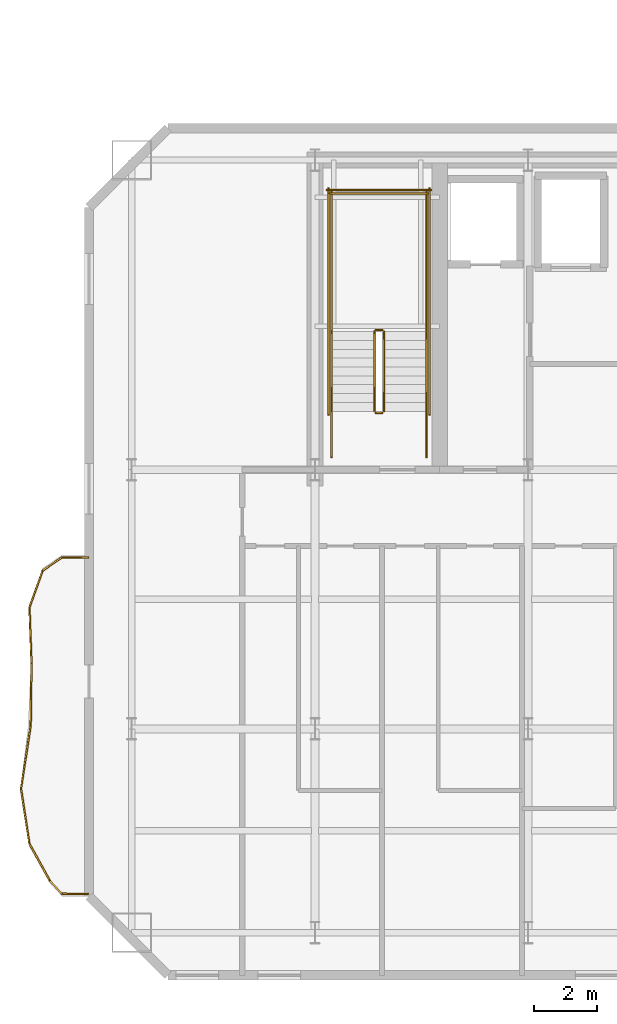
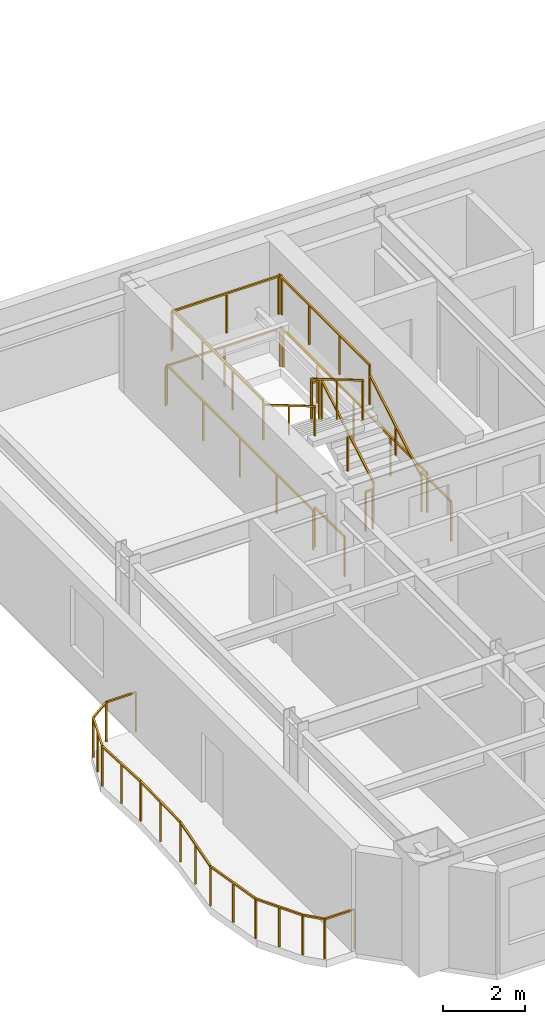
# One storey, part 11 of 14: 24 railings.
"""IFC4 building model written with IfcOpenShell, lengths in metres."""

from ifc_helpers import new_model, si_unit, direction, frame, origin, origin_2d, place, context, subcontext, project, spatial, rectangle, extrude, material, type_object, element, save


model = new_model("IFC4")

# Units and contexts
model_context = context("Model", 3, precision=1e-05, world=origin(), true_north=direction((0.0, 1.0)))
body_context = subcontext(model_context, "Body", "Model", "MODEL_VIEW")
ifc_project = project(units=[si_unit("LENGTHUNIT", "METRE"), si_unit("AREAUNIT", "SQUARE_METRE"), si_unit("VOLUMEUNIT", "CUBIC_METRE"), si_unit("PLANEANGLEUNIT", "RADIAN"), si_unit("MASSUNIT", "GRAM", prefix="KILO")], contexts=[model_context])

# Site, building, storey
site_placement = place(None, origin())
site = spatial("IfcSite", under=ifc_project, at=site_placement, CompositionType="ELEMENT")
building_placement = place(site_placement, origin())
building = spatial("IfcBuilding", under=site, at=building_placement, Name="Haevon Station Towers", CompositionType="ELEMENT")
storey_placement = place(building_placement, frame((0.0, 0.0, 179.10009765625)))
storey = spatial("IfcBuildingStorey", under=building, at=storey_placement, Name="L49", CompositionType="ELEMENT", Elevation=179.10009765625)

# Railings
ifc_material = material(Name="Steel S355", Category="steel")
railing_type_1 = type_object("IfcRailingType", Name="GRD-EXT1200", PredefinedType="GUARDRAIL", material=ifc_material)
railing_1_placement = place(storey_placement, frame((16.826416015625, 35.422119140625, 0.0)))
element("IfcRailing", 1, at=railing_1_placement, inside=storey, type_object=railing_type_1, Name="L49 Perimeter Guardrail 1", PredefinedType="GUARDRAIL", context=body_context, shape_type="SweptSolid", body=[
    extrude(rectangle(XDim=0.048095703125, YDim=0.048095703125, at=origin_2d()), frame((0.0, 0.0, 1.17578125), z_axis=(-0.999997283225, -0.002330995998, 0.0), x_axis=(0.002330995998, -0.999997283225, 0.0)), (0.0, 0.0, 1.0), 0.837890625),
    extrude(rectangle(XDim=0.0419921875, YDim=0.0419921875, at=origin_2d()), origin(), (0.0, 0.0, 1.0), 1.15185546875),
    extrude(rectangle(XDim=0.0419921875, YDim=0.0419921875, at=origin_2d()), frame((-0.837890625, -0.001953125, 0.0)), (0.0, 0.0, 1.0), 1.15185546875),
])
railing_2_placement = place(storey_placement, frame((15.988525390625, 35.420166015625, 0.0)))
element("IfcRailing", 2, at=railing_2_placement, inside=storey, type_object=railing_type_1, Name="L49 Perimeter Guardrail 2", PredefinedType="GUARDRAIL", context=body_context, shape_type="SweptSolid", body=[
    extrude(rectangle(XDim=0.048095703125, YDim=0.048095703125, at=origin_2d()), frame((0.0, 0.0, 1.17578125), z_axis=(-0.826665387993, -0.562693821091, 0.0), x_axis=(0.562693821091, -0.826665387993, 0.0)), (0.0, 0.0, 1.0), 0.730712890625),
    extrude(rectangle(XDim=0.0419921875, YDim=0.0419921875, at=origin_2d()), origin(), (0.0, 0.0, 1.0), 1.15185546875),
    extrude(rectangle(XDim=0.0419921875, YDim=0.0419921875, at=origin_2d()), frame((-0.60400390625, -0.4111328125, 0.0)), (0.0, 0.0, 1.0), 1.15185546875),
])
railing_3_placement = place(storey_placement, frame((15.384521484375, 35.009033203125, 0.0)))
element("IfcRailing", 3, at=railing_3_placement, inside=storey, type_object=railing_type_1, Name="L49 Perimeter Guardrail 3", PredefinedType="GUARDRAIL", context=body_context, shape_type="SweptSolid", body=[
    extrude(rectangle(XDim=0.048095703125, YDim=0.048095703125, at=origin_2d()), frame((0.0, 0.0, 1.17578125), z_axis=(-0.337369310721, -0.941372374878, 0.0), x_axis=(0.941372374878, -0.337369310721, 0.0)), (0.0, 0.0, 1.0), 1.242431640625),
    extrude(rectangle(XDim=0.0419921875, YDim=0.0419921875, at=origin_2d()), origin(), (0.0, 0.0, 1.0), 1.15185546875),
    extrude(rectangle(XDim=0.0419921875, YDim=0.0419921875, at=origin_2d()), frame((-0.20947265625, -0.5849609375, 0.0)), (0.0, 0.0, 1.0), 1.15185546875),
    extrude(rectangle(XDim=0.0419921875, YDim=0.0419921875, at=origin_2d()), frame((-0.419189453125, -1.169677734375, 0.0)), (0.0, 0.0, 1.0), 1.15185546875),
])
railing_4_placement = place(storey_placement, frame((14.96533203125, 33.83935546875, 0.0)))
element("IfcRailing", 4, at=railing_4_placement, inside=storey, type_object=railing_type_1, Name="L49 Perimeter Guardrail 4", PredefinedType="GUARDRAIL", context=body_context, shape_type="SweptSolid", body=[
    extrude(rectangle(XDim=0.048095703125, YDim=0.048095703125, at=origin_2d()), frame((0.0, 0.0, 1.17578125), z_axis=(0.036800275781, -0.999322640443, 0.0), x_axis=(0.999322640443, 0.036800275781, 0.0)), (0.0, 0.0, 1.0), 1.75146484375),
    extrude(rectangle(XDim=0.0419921875, YDim=0.0419921875, at=origin_2d()), origin(), (0.0, 0.0, 1.0), 1.15185546875),
    extrude(rectangle(XDim=0.0419921875, YDim=0.0419921875, at=origin_2d()), frame((0.0322265625, -0.875, 0.0)), (0.0, 0.0, 1.0), 1.15185546875),
    extrude(rectangle(XDim=0.0419921875, YDim=0.0419921875, at=origin_2d()), frame((0.064453125, -1.750244140625, 0.0)), (0.0, 0.0, 1.0), 1.15185546875),
])
railing_5_placement = place(storey_placement, frame((15.02978515625, 32.089111328125, 0.0)))
element("IfcRailing", 5, at=railing_5_placement, inside=storey, type_object=railing_type_1, Name="L49 Perimeter Guardrail 5", PredefinedType="GUARDRAIL", context=body_context, shape_type="SweptSolid", body=[
    extrude(rectangle(XDim=0.048095703125, YDim=0.048095703125, at=origin_2d()), frame((0.0, 0.0, 1.17578125), z_axis=(-0.012764395152, -0.99991853179, 0.0), x_axis=(0.99991853179, -0.012764395152, 0.0)), (0.0, 0.0, 1.0), 1.9892578125),
    extrude(rectangle(XDim=0.0419921875, YDim=0.0419921875, at=origin_2d()), origin(), (0.0, 0.0, 1.0), 1.15185546875),
    extrude(rectangle(XDim=0.0419921875, YDim=0.0419921875, at=origin_2d()), frame((-0.0126953125, -0.99462890625, 0.0)), (0.0, 0.0, 1.0), 1.15185546875),
    extrude(rectangle(XDim=0.0419921875, YDim=0.0419921875, at=origin_2d()), frame((-0.025390625, -1.989013671875, 0.0)), (0.0, 0.0, 1.0), 1.15185546875),
])
railing_6_placement = place(storey_placement, frame((15.00439453125, 30.10009765625, 0.0)))
element("IfcRailing", 6, at=railing_6_placement, inside=storey, type_object=railing_type_1, Name="L49 Perimeter Guardrail 6", PredefinedType="GUARDRAIL", context=body_context, shape_type="SweptSolid", body=[
    extrude(rectangle(XDim=0.048095703125, YDim=0.048095703125, at=origin_2d()), frame((0.0, 0.0, 1.17578125), z_axis=(-0.151938915534, -0.988389885595, 0.0), x_axis=(0.988389885595, -0.151938915534, 0.0)), (0.0, 0.0, 1.0), 2.0166015625),
    extrude(rectangle(XDim=0.0419921875, YDim=0.0419921875, at=origin_2d()), origin(), (0.0, 0.0, 1.0), 1.15185546875),
    extrude(rectangle(XDim=0.0419921875, YDim=0.0419921875, at=origin_2d()), frame((-0.1533203125, -0.99658203125, 0.0)), (0.0, 0.0, 1.0), 1.15185546875),
    extrude(rectangle(XDim=0.0419921875, YDim=0.0419921875, at=origin_2d()), frame((-0.306396484375, -1.9931640625, 0.0)), (0.0, 0.0, 1.0), 1.15185546875),
])
railing_7_placement = place(storey_placement, frame((14.697998046875, 28.10693359375, 0.0)))
element("IfcRailing", 7, at=railing_7_placement, inside=storey, type_object=railing_type_1, Name="L49 Perimeter Guardrail 7", PredefinedType="GUARDRAIL", context=body_context, shape_type="SweptSolid", body=[
    extrude(rectangle(XDim=0.048095703125, YDim=0.048095703125, at=origin_2d()), frame((0.0, 0.0, 1.17578125), z_axis=(0.151319853564, -0.988484851638, 0.0), x_axis=(0.988484851638, 0.151319853564, 0.0)), (0.0, 0.0, 1.0), 1.7666015625),
    extrude(rectangle(XDim=0.0419921875, YDim=0.0419921875, at=origin_2d()), origin(), (0.0, 0.0, 1.0), 1.15185546875),
    extrude(rectangle(XDim=0.0419921875, YDim=0.0419921875, at=origin_2d()), frame((0.1337890625, -0.873046875, 0.0)), (0.0, 0.0, 1.0), 1.15185546875),
    extrude(rectangle(XDim=0.0419921875, YDim=0.0419921875, at=origin_2d()), frame((0.267333984375, -1.746337890625, 0.0)), (0.0, 0.0, 1.0), 1.15185546875),
])
railing_8_placement = place(storey_placement, frame((14.96533203125, 26.360595703125, 0.0)))
element("IfcRailing", 8, at=railing_8_placement, inside=storey, type_object=railing_type_1, Name="L49 Perimeter Guardrail 8", PredefinedType="GUARDRAIL", context=body_context, shape_type="SweptSolid", body=[
    extrude(rectangle(XDim=0.048095703125, YDim=0.048095703125, at=origin_2d()), frame((0.0, 0.0, 1.17578125), z_axis=(0.483531380605, -0.87532702687, 0.0), x_axis=(0.87532702687, 0.483531380605, 0.0)), (0.0, 0.0, 1.0), 1.3359375),
    extrude(rectangle(XDim=0.0419921875, YDim=0.0419921875, at=origin_2d()), origin(), (0.0, 0.0, 1.0), 1.15185546875),
    extrude(rectangle(XDim=0.0419921875, YDim=0.0419921875, at=origin_2d()), frame((0.322998046875, -0.584716796875, 0.0)), (0.0, 0.0, 1.0), 1.15185546875),
    extrude(rectangle(XDim=0.0419921875, YDim=0.0419921875, at=origin_2d()), frame((0.64599609375, -1.16943359375, 0.0)), (0.0, 0.0, 1.0), 1.15185546875),
])
railing_9_placement = place(storey_placement, frame((15.611328125, 25.191162109375, 0.0)))
element("IfcRailing", 9, at=railing_9_placement, inside=storey, type_object=railing_type_1, Name="L49 Perimeter Guardrail 9", PredefinedType="GUARDRAIL", context=body_context, shape_type="SweptSolid", body=[
    extrude(rectangle(XDim=0.048095703125, YDim=0.048095703125, at=origin_2d()), frame((0.0, 0.0, 1.17578125), z_axis=(0.67582366234, -0.737063346953, 0.0), x_axis=(0.737063346953, 0.67582366234, 0.0)), (0.0, 0.0, 1.0), 0.55810546875),
    extrude(rectangle(XDim=0.0419921875, YDim=0.0419921875, at=origin_2d()), origin(), (0.0, 0.0, 1.0), 1.15185546875),
    extrude(rectangle(XDim=0.0419921875, YDim=0.0419921875, at=origin_2d()), frame((0.377197265625, -0.411376953125, 0.0)), (0.0, 0.0, 1.0), 1.15185546875),
])
railing_10_placement = place(storey_placement, frame((15.988525390625, 24.77978515625, 0.0)))
element("IfcRailing", 10, at=railing_10_placement, inside=storey, type_object=railing_type_1, Name="L49 Perimeter Guardrail 10", PredefinedType="GUARDRAIL", context=body_context, shape_type="SweptSolid", body=[
    extrude(rectangle(XDim=0.048095703125, YDim=0.048095703125, at=origin_2d()), frame((0.0, 0.0, 1.17578125), z_axis=(0.999997283225, -0.002330995998, 0.0), x_axis=(0.002330995998, 0.999997283225, 0.0)), (0.0, 0.0, 1.0), 0.837890625),
    extrude(rectangle(XDim=0.0419921875, YDim=0.0419921875, at=origin_2d()), origin(), (0.0, 0.0, 1.0), 1.15185546875),
    extrude(rectangle(XDim=0.0419921875, YDim=0.0419921875, at=origin_2d()), frame((0.837890625, -0.001953125, 0.0)), (0.0, 0.0, 1.0), 1.15185546875),
])
railing_type_2 = type_object("IfcRailingType", Name="GRD-STR1200", PredefinedType="GUARDRAIL", material=ifc_material)
railing_11_placement = place(storey_placement, frame((26.179931640625, 40.050048828125, 0.164794921875)))
element("IfcRailing", 11, at=railing_11_placement, inside=storey, type_object=railing_type_2, Name="L49 ST1 Stair Guard 1", PredefinedType="GUARDRAIL", context=body_context, shape_type="SweptSolid", body=[
    extrude(rectangle(XDim=0.048095703125, YDim=0.048095703125, at=origin_2d()), frame((0.0, 0.0, 1.17578125), z_axis=(0.0, 0.86152411907, 0.507716645641), x_axis=(-1.0, 0.0, 0.0)), (0.0, 0.0, 1.0), 2.925048828125),
    extrude(rectangle(XDim=0.0419921875, YDim=0.0419921875, at=origin_2d()), origin(), (0.0, 0.0, 1.0), 1.15185546875),
    extrude(rectangle(XDim=0.0419921875, YDim=0.0419921875, at=origin_2d()), frame((0.0, 1.260009765625, 0.74267578125)), (0.0, 0.0, 1.0), 1.15185546875),
    extrude(rectangle(XDim=0.0419921875, YDim=0.0419921875, at=origin_2d()), frame((0.0, 2.52001953125, 1.485107421875)), (0.0, 0.0, 1.0), 1.15185546875),
])
railing_12_placement = place(storey_placement, frame((26.1298828125, 42.6201171875, 1.64990234375)))
element("IfcRailing", 12, at=railing_12_placement, inside=storey, type_object=railing_type_2, Name="L49 ST1 Stair Guard 2", PredefinedType="GUARDRAIL", context=body_context, shape_type="SweptSolid", body=[
    extrude(rectangle(XDim=0.048095703125, YDim=0.048095703125, at=origin_2d()), frame((0.0, 0.0, 1.17578125), z_axis=(-1.0, 0.0, 0.0), x_axis=(0.0, -1.0, 0.0)), (0.0, 0.0, 1.0), 0.199951171875),
    extrude(rectangle(XDim=0.0419921875, YDim=0.0419921875, at=origin_2d()), origin(), (0.0, 0.0, 1.0), 1.15185546875),
    extrude(rectangle(XDim=0.0419921875, YDim=0.0419921875, at=origin_2d()), frame((-0.199951171875, 0.0, 0.0)), (0.0, 0.0, 1.0), 1.15185546875),
])
for number, where, name in (
    (13, (27.530029296875, 42.570068359375, 1.64990234375), "L49 ST1 Stair Guard 3"),
    (14, (24.530029296875, 42.570068359375, 1.64990234375), "L49 ST1 Stair Guard 4"),
):
    element("IfcRailing", number, at=place(storey_placement, frame(where)), inside=storey, type_object=railing_type_2, Name=name, PredefinedType="GUARDRAIL", context=body_context, shape_type="SweptSolid", body=[
        extrude(rectangle(XDim=0.048095703125, YDim=0.048095703125, at=origin_2d()), frame((0.0, 0.0, 1.17578125), z_axis=(0.0, 1.0, 0.0), x_axis=(-1.0, 0.0, 0.0)), (0.0, 0.0, 1.0), 4.429931640625),
        extrude(rectangle(XDim=0.0419921875, YDim=0.0419921875, at=origin_2d()), origin(), (0.0, 0.0, 1.0), 1.15185546875),
        extrude(rectangle(XDim=0.0419921875, YDim=0.0419921875, at=origin_2d()), frame((0.0, 1.4765625, 0.0)), (0.0, 0.0, 1.0), 1.15185546875),
        extrude(rectangle(XDim=0.0419921875, YDim=0.0419921875, at=origin_2d()), frame((0.0, 2.953369140625, 0.0)), (0.0, 0.0, 1.0), 1.15185546875),
        extrude(rectangle(XDim=0.0419921875, YDim=0.0419921875, at=origin_2d()), frame((0.0, 4.429931640625, 0.0)), (0.0, 0.0, 1.0), 1.15185546875),
    ])
railing_13_placement = place(storey_placement, frame((27.580078125, 46.949951171875, 1.64990234375)))
element("IfcRailing", 15, at=railing_13_placement, inside=storey, type_object=railing_type_2, Name="L49 ST1 Stair Guard 5", PredefinedType="GUARDRAIL", context=body_context, shape_type="SweptSolid", body=[
    extrude(rectangle(XDim=0.048095703125, YDim=0.048095703125, at=origin_2d()), frame((0.0, 0.0, 1.17578125), z_axis=(-1.0, 0.0, 0.0), x_axis=(0.0, -1.0, 0.0)), (0.0, 0.0, 1.0), 3.10009765625),
    extrude(rectangle(XDim=0.0419921875, YDim=0.0419921875, at=origin_2d()), origin(), (0.0, 0.0, 1.0), 1.15185546875),
    extrude(rectangle(XDim=0.0419921875, YDim=0.0419921875, at=origin_2d()), frame((-1.550048828125, 0.0, 0.0)), (0.0, 0.0, 1.0), 1.15185546875),
    extrude(rectangle(XDim=0.0419921875, YDim=0.0419921875, at=origin_2d()), frame((-3.10009765625, 0.0, 0.0)), (0.0, 0.0, 1.0), 1.15185546875),
])
railing_14_placement = place(storey_placement, frame((25.8798828125, 42.570068359375, 1.81494140625)))
element("IfcRailing", 16, at=railing_14_placement, inside=storey, type_object=railing_type_2, Name="L49 ST1 Stair Guard 6", PredefinedType="GUARDRAIL", context=body_context, shape_type="SweptSolid", body=[
    extrude(rectangle(XDim=0.048095703125, YDim=0.048095703125, at=origin_2d()), frame((0.0, 0.0, 1.17578125), z_axis=(0.0, -0.861560626758, 0.507654692109), x_axis=(1.0, 0.0, 0.0)), (0.0, 0.0, 1.0), 2.925048828125),
    extrude(rectangle(XDim=0.0419921875, YDim=0.0419921875, at=origin_2d()), origin(), (0.0, 0.0, 1.0), 1.15185546875),
    extrude(rectangle(XDim=0.0419921875, YDim=0.0419921875, at=origin_2d()), frame((0.0, -1.260009765625, 0.742431640625)), (0.0, 0.0, 1.0), 1.15185546875),
    extrude(rectangle(XDim=0.0419921875, YDim=0.0419921875, at=origin_2d()), frame((0.0, -2.52001953125, 1.48486328125)), (0.0, 0.0, 1.0), 1.15185546875),
])
railing_15_placement = place(storey_placement, frame((26.1298828125, 40.0, 0.0)))
element("IfcRailing", 17, at=railing_15_placement, inside=storey, type_object=railing_type_2, Name="L49 ST1 Stair Guard 7", PredefinedType="GUARDRAIL", context=body_context, shape_type="SweptSolid", body=[
    extrude(rectangle(XDim=0.048095703125, YDim=0.048095703125, at=origin_2d()), frame((0.0, 0.0, 1.17578125), z_axis=(-1.0, 0.0, 0.0), x_axis=(0.0, -1.0, 0.0)), (0.0, 0.0, 1.0), 0.199951171875),
    extrude(rectangle(XDim=0.0419921875, YDim=0.0419921875, at=origin_2d()), origin(), (0.0, 0.0, 1.0), 1.15185546875),
    extrude(rectangle(XDim=0.0419921875, YDim=0.0419921875, at=origin_2d()), frame((-0.199951171875, 0.0, 0.0)), (0.0, 0.0, 1.0), 1.15185546875),
])
for number, where, name in (
    (18, (27.530029296875, 38.60009765625, 0.0), "L49 ST1 Stair Guard 8"),
    (19, (24.530029296875, 38.60009765625, 0.0), "L49 ST1 Stair Guard 9"),
):
    element("IfcRailing", number, at=place(storey_placement, frame(where)), inside=storey, type_object=railing_type_2, Name=name, PredefinedType="GUARDRAIL", context=body_context, shape_type="SweptSolid", body=[
        extrude(rectangle(XDim=0.048095703125, YDim=0.048095703125, at=origin_2d()), frame((0.0, 0.0, 1.17578125), z_axis=(0.0, 1.0, 0.0), x_axis=(-1.0, 0.0, 0.0)), (0.0, 0.0, 1.0), 1.449951171875),
        extrude(rectangle(XDim=0.0419921875, YDim=0.0419921875, at=origin_2d()), origin(), (0.0, 0.0, 1.0), 1.15185546875),
        extrude(rectangle(XDim=0.0419921875, YDim=0.0419921875, at=origin_2d()), frame((0.0, 1.449951171875, 0.0)), (0.0, 0.0, 1.0), 1.15185546875),
    ])
for number, where, name in (
    (20, (27.6298828125, 39.949951171875, 0.0), "L49 ST1 Stair Guard 10"),
    (21, (24.429931640625, 39.949951171875, 0.0), "L49 ST1 Stair Guard 11"),
):
    element("IfcRailing", number, at=place(storey_placement, frame(where)), inside=storey, type_object=railing_type_2, Name=name, PredefinedType="GUARDRAIL", context=body_context, shape_type="SweptSolid", body=[
        extrude(rectangle(XDim=0.048095703125, YDim=0.048095703125, at=origin_2d()), frame((0.0, 0.0, 1.17578125), z_axis=(0.0, 1.0, 0.0), x_axis=(-1.0, 0.0, 0.0)), (0.0, 0.0, 1.0), 7.150146484375),
        extrude(rectangle(XDim=0.0419921875, YDim=0.0419921875, at=origin_2d()), origin(), (0.0, 0.0, 1.0), 1.15185546875),
        extrude(rectangle(XDim=0.0419921875, YDim=0.0419921875, at=origin_2d()), frame((0.0, 1.78759765625, 0.0)), (0.0, 0.0, 1.0), 1.15185546875),
        extrude(rectangle(XDim=0.0419921875, YDim=0.0419921875, at=origin_2d()), frame((0.0, 3.5751953125, 0.0)), (0.0, 0.0, 1.0), 1.15185546875),
        extrude(rectangle(XDim=0.0419921875, YDim=0.0419921875, at=origin_2d()), frame((0.0, 5.362548828125, 0.0)), (0.0, 0.0, 1.0), 1.15185546875),
        extrude(rectangle(XDim=0.0419921875, YDim=0.0419921875, at=origin_2d()), frame((0.0, 7.150146484375, 0.0)), (0.0, 0.0, 1.0), 1.15185546875),
    ])
railing_16_placement = place(storey_placement, frame((27.679931640625, 47.050048828125, 0.0)))
element("IfcRailing", 22, at=railing_16_placement, inside=storey, type_object=railing_type_2, Name="L49 ST1 Stair Guard 12", PredefinedType="GUARDRAIL", context=body_context, shape_type="SweptSolid", body=[
    extrude(rectangle(XDim=0.048095703125, YDim=0.048095703125, at=origin_2d()), frame((0.0, 0.0, 1.17578125), z_axis=(-1.0, 0.0, 0.0), x_axis=(0.0, -1.0, 0.0)), (0.0, 0.0, 1.0), 3.300048828125),
    extrude(rectangle(XDim=0.0419921875, YDim=0.0419921875, at=origin_2d()), origin(), (0.0, 0.0, 1.0), 1.15185546875),
    extrude(rectangle(XDim=0.0419921875, YDim=0.0419921875, at=origin_2d()), frame((-1.64990234375, 0.0, 0.0)), (0.0, 0.0, 1.0), 1.15185546875),
    extrude(rectangle(XDim=0.0419921875, YDim=0.0419921875, at=origin_2d()), frame((-3.300048828125, 0.0, 0.0)), (0.0, 0.0, 1.0), 1.15185546875),
])
railing_type_3 = type_object("IfcRailingType", Name="HND-STR900", PredefinedType="HANDRAIL", material=ifc_material)
railing_17_placement = place(storey_placement, frame((27.530029296875, 40.050048828125, 0.164794921875)))
element("IfcRailing", 23, at=railing_17_placement, inside=storey, type_object=railing_type_3, Name="L49 ST1 Stair Handrail 1", PredefinedType="HANDRAIL", context=body_context, shape_type="SweptSolid", body=[
    extrude(rectangle(XDim=0.048095703125, YDim=0.048095703125, at=origin_2d()), frame((0.0, 0.0, 0.8759765625), z_axis=(0.0, 0.86152411907, 0.507716645641), x_axis=(-1.0, 0.0, 0.0)), (0.0, 0.0, 1.0), 2.925048828125),
    extrude(rectangle(XDim=0.0419921875, YDim=0.0419921875, at=origin_2d()), origin(), (0.0, 0.0, 1.0), 0.851806640625),
    extrude(rectangle(XDim=0.0419921875, YDim=0.0419921875, at=origin_2d()), frame((0.0, 1.260009765625, 0.74267578125)), (0.0, 0.0, 1.0), 0.851806640625),
    extrude(rectangle(XDim=0.0419921875, YDim=0.0419921875, at=origin_2d()), frame((0.0, 2.52001953125, 1.485107421875)), (0.0, 0.0, 1.0), 0.851806640625),
])
railing_18_placement = place(storey_placement, frame((24.530029296875, 42.570068359375, 1.81494140625)))
element("IfcRailing", 24, at=railing_18_placement, inside=storey, type_object=railing_type_3, Name="L49 ST1 Stair Handrail 2", PredefinedType="HANDRAIL", context=body_context, shape_type="SweptSolid", body=[
    extrude(rectangle(XDim=0.048095703125, YDim=0.048095703125, at=origin_2d()), frame((0.0, 0.0, 0.8759765625), z_axis=(0.0, -0.861560626758, 0.507654692109), x_axis=(1.0, 0.0, 0.0)), (0.0, 0.0, 1.0), 2.925048828125),
    extrude(rectangle(XDim=0.0419921875, YDim=0.0419921875, at=origin_2d()), origin(), (0.0, 0.0, 1.0), 0.851806640625),
    extrude(rectangle(XDim=0.0419921875, YDim=0.0419921875, at=origin_2d()), frame((0.0, -1.260009765625, 0.742431640625)), (0.0, 0.0, 1.0), 0.851806640625),
    extrude(rectangle(XDim=0.0419921875, YDim=0.0419921875, at=origin_2d()), frame((0.0, -2.52001953125, 1.48486328125)), (0.0, 0.0, 1.0), 0.851806640625),
])

save(model, "model.ifc")
